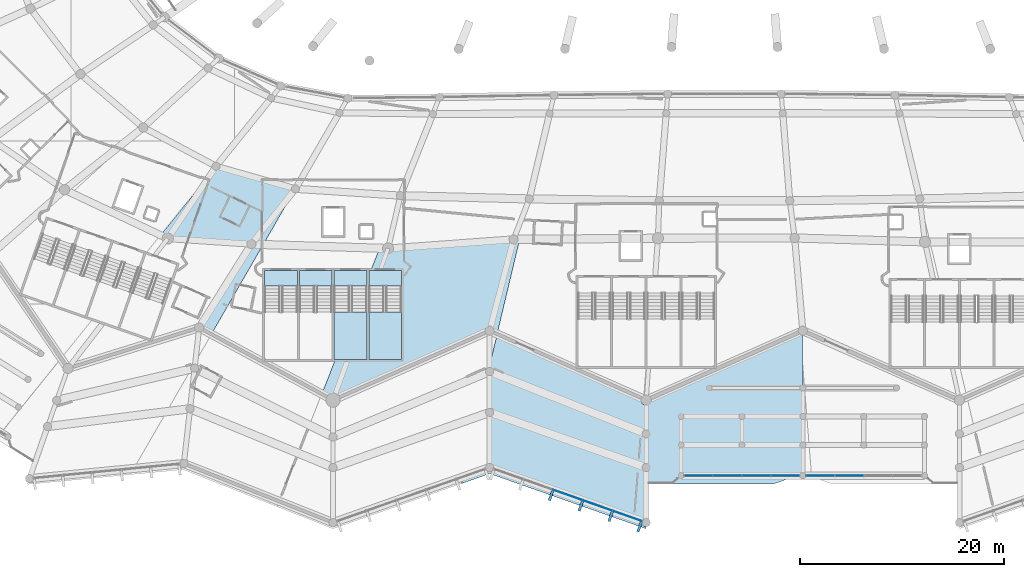
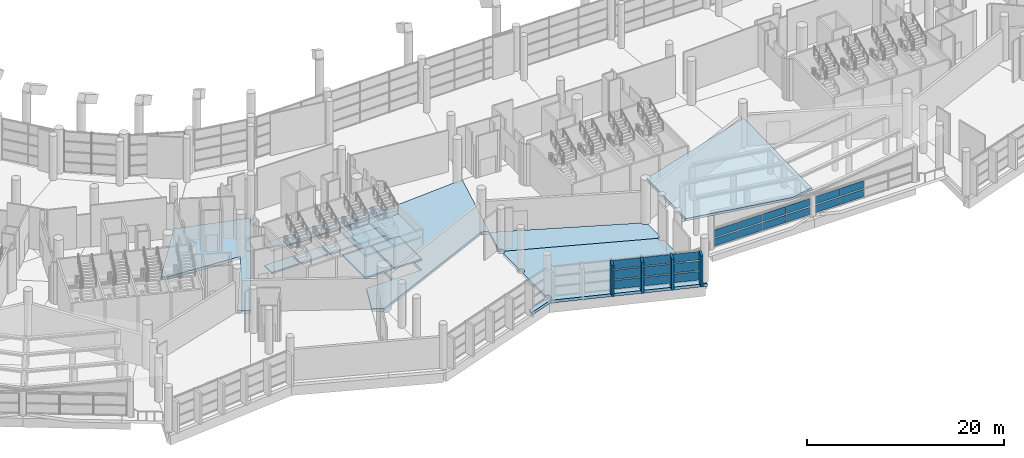
# One storey, part 118 of 271: 25 plates, 17 slabs, 7 elements without a shape of their own.
"""IFC4 building model written with IfcOpenShell, lengths in metres."""

from ifc_helpers import new_model, si_unit, direction, frame, origin, origin_2d, place, context, subcontext, project, spatial, polyline, rectangle, outline, extrude, material, layer, layer_set, type_object, element, aggregate, save


model = new_model("IFC4")

# Units and contexts
model_context = context("Model", 3, precision=1e-05, world=origin(), true_north=direction((0.0, 1.0)))
body_context = subcontext(model_context, "Body", "Model", "MODEL_VIEW")
ifc_project = project(units=[si_unit("LENGTHUNIT", "METRE"), si_unit("AREAUNIT", "SQUARE_METRE"), si_unit("VOLUMEUNIT", "CUBIC_METRE"), si_unit("PLANEANGLEUNIT", "RADIAN"), si_unit("MASSUNIT", "GRAM", prefix="KILO")], contexts=[model_context])

# Site, building, storey
site_placement = place(None, origin())
site = spatial("IfcSite", under=ifc_project, at=site_placement, CompositionType="ELEMENT")
building_placement = place(site_placement, origin())
building = spatial("IfcBuilding", under=site, at=building_placement, Name="Meseta Stadium", CompositionType="ELEMENT")
storey_placement = place(building_placement, frame((0.0, 0.0, 6.5)))
storey = spatial("IfcBuildingStorey", under=building, at=storey_placement, Name="L01", CompositionType="ELEMENT", Elevation=6.5)

# Slabs
ifc_material_1 = material(Name="Concrete C40/50", Category="concrete")
ifc_layer_1 = layer(ifc_material_1, 0.35009765625)
ifc_layer_set_1 = layer_set([ifc_layer_1], Name="Floor slab 350")
slab_type_1 = type_object("IfcSlabType", Name="Floor slab 350", PredefinedType="FLOOR", material=ifc_layer_set_1)
slab_1_placement = place(storey_placement, frame((0.0, 0.0, -0.35009765625)))
element("IfcSlab", 1, at=slab_1_placement, inside=storey, type_object=slab_type_1, Name="Floor slab L01 sector 42 panel 02", PredefinedType="FLOOR", context=body_context, shape_type="SweptSolid", body=[
    extrude(outline(polyline([(-55.224365234375, -89.246826171875), (-54.523193359375, -89.579345703125), (-46.333251953125, -90.126220703125), (-51.44140625, -98.29443359375), (-50.244384765625, -98.943359375), (-42.015380859375, -84.707275390625), (-49.781005859375, -82.502197265625), (-55.224365234375, -89.246826171875)])), origin(), (0.0, 0.0, 1.0), 0.35009765625),
])
slab_2_placement = place(storey_placement, frame((0.0, 0.0, -0.35009765625)))
element("IfcSlab", 2, at=slab_2_placement, inside=storey, type_object=slab_type_1, Name="Floor slab L01 sector 42 panel 07", PredefinedType="FLOOR", context=body_context, shape_type="SweptSolid", body=[
    extrude(outline(polyline([(-35.033203125, -93.683837890625), (-35.033203125, -101.39990234375), (-38.09521484375, -101.39990234375), (-39.443603515625, -104.798095703125), (-38.333251953125, -105.39990234375), (-23.0, -98.60009765625), (-22.267822265625, -98.9248046875), (-20.059814453125, -89.651611328125), (-20.649658203125, -89.65625), (-32.944091796875, -90.551025390625), (-33.779541015625, -90.524658203125), (-34.642822265625, -92.699951171875), (-31.63330078125, -92.699951171875), (-31.63330078125, -101.39990234375), (-34.833251953125, -101.39990234375), (-34.833251953125, -93.179931640625), (-35.033203125, -93.683837890625)])), origin(), (0.0, 0.0, 1.0), 0.35009765625),
])
slab_3_placement = place(storey_placement, frame((0.0, 0.0, -0.35009765625)))
element("IfcSlab", 3, at=slab_3_placement, inside=storey, type_object=slab_type_1, Name="Ring floor slab L01 6 panel 05", PredefinedType="FLOOR", context=body_context, shape_type="SweptSolid", body=[
    extrude(outline(polyline([(-22.714599609375, -112.285400390625), (-22.79833984375, -112.349365234375), (-22.8955078125, -112.3896484375), (-23.0, -112.403564453125), (-23.1044921875, -112.3896484375), (-23.20166015625, -112.349365234375), (-23.285400390625, -112.285400390625), (-23.349365234375, -112.20166015625), (-23.377685546875, -112.133056640625), (-25.598876953125, -112.915283203125), (-25.7548828125, -113.5703125), (-23.0, -112.60009765625), (-7.666748046875, -118.0), (-7.666748046875, -117.803466796875), (-7.77099609375, -117.789794921875), (-7.868408203125, -117.74951171875), (-7.951904296875, -117.685302734375), (-8.01611328125, -117.601806640625), (-8.056396484375, -117.50439453125), (-8.070068359375, -117.39990234375), (-8.056396484375, -117.295654296875), (-8.01611328125, -117.1982421875), (-7.951904296875, -117.11474609375), (-7.868408203125, -117.050537109375), (-7.77099609375, -117.01025390625), (-7.666748046875, -116.99658203125), (-7.666748046875, -112.403564453125), (-7.77099609375, -112.3896484375), (-7.868408203125, -112.349365234375), (-7.951904296875, -112.285400390625), (-8.01611328125, -112.20166015625), (-8.056396484375, -112.1044921875), (-8.070068359375, -112.0), (-8.056396484375, -111.8955078125), (-8.01611328125, -111.79833984375), (-7.951904296875, -111.714599609375), (-7.868408203125, -111.650634765625), (-7.77099609375, -111.6103515625), (-7.666748046875, -111.596435546875), (-7.666748046875, -109.103515625), (-7.77099609375, -109.089599609375), (-7.868408203125, -109.04931640625), (-7.951904296875, -108.9853515625), (-8.01611328125, -108.901611328125), (-8.056396484375, -108.804443359375), (-8.070068359375, -108.699951171875), (-8.056396484375, -108.595703125), (-8.038330078125, -108.552001953125), (-22.62841796875, -102.747802734375), (-22.650634765625, -102.8017578125), (-22.714599609375, -102.88525390625), (-22.79833984375, -102.949462890625), (-22.8955078125, -102.98974609375), (-23.0, -103.00341796875), (-23.0, -106.196533203125), (-22.8955078125, -106.210205078125), (-22.79833984375, -106.25048828125), (-22.714599609375, -106.314697265625), (-22.650634765625, -106.398193359375), (-22.6103515625, -106.49560546875), (-22.596435546875, -106.60009765625), (-22.6103515625, -106.704345703125), (-22.650634765625, -106.8017578125), (-22.714599609375, -106.88525390625), (-22.79833984375, -106.949462890625), (-22.8955078125, -106.98974609375), (-23.0, -107.00341796875), (-23.0, -111.596435546875), (-22.8955078125, -111.6103515625), (-22.79833984375, -111.650634765625), (-22.714599609375, -111.714599609375), (-22.650634765625, -111.79833984375), (-22.6103515625, -111.8955078125), (-22.596435546875, -112.0), (-22.6103515625, -112.1044921875), (-22.650634765625, -112.20166015625), (-22.714599609375, -112.285400390625)])), origin(), (0.0, 0.0, 1.0), 0.35009765625),
])
slab_4_placement = place(storey_placement, frame((0.0, 0.0, -0.35009765625)))
element("IfcSlab", 4, at=slab_4_placement, inside=storey, type_object=slab_type_1, Name="Ring floor slab L01 6 panel 06", PredefinedType="FLOOR", context=body_context, shape_type="SweptSolid", body=[
    extrude(outline(polyline([(-8.103515625, -105.652099609375), (-8.15380859375, -105.530517578125), (-8.1708984375, -105.39990234375), (-8.16357421875, -105.34375), (-22.302978515625, -99.072998046875), (-23.0, -102.0), (-23.0, -102.196533203125), (-22.8955078125, -102.210205078125), (-22.79833984375, -102.25048828125), (-22.714599609375, -102.314697265625), (-22.650634765625, -102.398193359375), (-22.6103515625, -102.49560546875), (-22.596435546875, -102.60009765625), (-22.6103515625, -102.704345703125), (-22.62841796875, -102.747802734375), (-8.038330078125, -108.552001953125), (-8.01611328125, -108.498291015625), (-7.951904296875, -108.414794921875), (-7.868408203125, -108.3505859375), (-7.77099609375, -108.310302734375), (-7.666748046875, -108.29638671875), (-7.666748046875, -105.904296875), (-7.797119140625, -105.88720703125), (-7.918701171875, -105.836669921875), (-7.96826171875, -105.798828125), (-8.023193359375, -105.756591796875), (-8.103515625, -105.652099609375)])), origin(), (0.0, 0.0, 1.0), 0.35009765625),
])
ifc_material_2 = material(Name="Concrete C40/50", Category="concrete")
ifc_layer_2 = layer(ifc_material_2, 0.300048828125)
ifc_layer_set_2 = layer_set([ifc_layer_2], Name="Gate roof plate 300")
slab_type_2 = type_object("IfcSlabType", Name="Gate roof plate 300", PredefinedType="ROOF", material=ifc_layer_set_2)
slab_5_placement = place(storey_placement, frame((7.666748046875, -112.60009765625, 3.2412109375), z_axis=(0.138624201217, -0.019803526469, 0.99014703513), x_axis=(-5.01351e-07, 0.999800046752, 0.019996662603)))
element("IfcSlab", 5, at=slab_5_placement, inside=storey, type_object=slab_type_2, Name="Gate 7 butterfly roof wing", PredefinedType="ROOF", context=body_context, shape_type="SweptSolid", body=[
    extrude(outline(polyline([(0.0, 0.0), (13.80598419644669, -6.938893903907228e-18), (7.047510880738475, 15.48298708606902), (-0.9572652772770489, 15.482978936526571), (-0.992246172665411, 2.867301837908844), (0.0, 0.0)])), origin(), (0.0, 0.0, -1.0), 0.300048828125),
])

# Curtain wall, plates
ifc_material_3 = material(Name="Aluminium", Category="aluminium")
ifc_layer_3 = layer(ifc_material_3, 0.199951171875)
ifc_layer_set_3 = layer_set([ifc_layer_3], Name="Ring shopfront curtain wall")
curtain_wall_type_1 = type_object("IfcCurtainWallType", Name="Ring shopfront curtain wall", PredefinedType="NOTDEFINED", material=ifc_layer_set_3)
curtain_wall_1_placement = place(storey_placement, origin())
curtain_wall_1 = element("IfcCurtainWall", 6, at=curtain_wall_1_placement, inside=storey, type_object=curtain_wall_type_1, Name="Ring glazing L01 F45", PredefinedType="NOTDEFINED")
ifc_material_4 = material(Name="Glass", Category="glass")
ifc_layer_4 = layer(ifc_material_4, 0.035888671875)
ifc_layer_set_4 = layer_set([ifc_layer_4], Name="Ring CW glass panel 36")
plate_type_1 = type_object("IfcPlateType", Name="Ring CW glass panel 36", PredefinedType="CURTAIN_PANEL", material=ifc_layer_set_4)
plate_1_placement = place(storey_placement, frame((-15.333251953125, -114.699951171875, 0.14990234375), z_axis=(0.0, 0.0, 1.0), x_axis=(0.943218009999, -0.332174330154, 0.0)))
plate_1 = element("IfcPlate", 7, at=plate_1_placement, type_object=plate_type_1, Name="CWR1 panel 3.1", PredefinedType="CURTAIN_PANEL", context=body_context, shape_type="SweptSolid", body=[
    extrude(rectangle(XDim=3.03125, YDim=0.035888671875, at=origin_2d()), origin(), (0.0, 0.0, 1.0), 1.058349609375),
])
plate_2_placement = place(storey_placement, frame((-15.333251953125, -114.699951171875, 1.3583984375), z_axis=(0.0, 0.0, 1.0), x_axis=(0.943218009999, -0.332174330154, 0.0)))
plate_2 = element("IfcPlate", 8, at=plate_2_placement, type_object=plate_type_1, Name="CWR1 panel 3.2", PredefinedType="CURTAIN_PANEL", context=body_context, shape_type="SweptSolid", body=[
    extrude(rectangle(XDim=3.03125, YDim=0.035888671875, at=origin_2d()), origin(), (0.0, 0.0, 1.0), 1.13330078125),
])
plate_3_placement = place(storey_placement, frame((-15.333251953125, -114.699951171875, 2.6416015625), z_axis=(0.0, 0.0, 1.0), x_axis=(0.943218009999, -0.332174330154, 0.0)))
plate_3 = element("IfcPlate", 9, at=plate_3_placement, type_object=plate_type_1, Name="CWR1 panel 3.3", PredefinedType="CURTAIN_PANEL", context=body_context, shape_type="SweptSolid", body=[
    extrude(rectangle(XDim=3.03125, YDim=0.035888671875, at=origin_2d()), origin(), (0.0, 0.0, 1.0), 1.058349609375),
])
plate_4_placement = place(storey_placement, frame((-12.417724609375, -115.726806640625, 0.14990234375), z_axis=(0.0, 0.0, 1.0), x_axis=(0.943218009999, -0.332174330154, 0.0)))
plate_4 = element("IfcPlate", 10, at=plate_4_placement, type_object=plate_type_1, Name="CWR1 panel 4.1", PredefinedType="CURTAIN_PANEL", context=body_context, shape_type="SweptSolid", body=[
    extrude(rectangle(XDim=3.03125, YDim=0.035888671875, at=origin_2d()), origin(), (0.0, 0.0, 1.0), 1.058349609375),
])
plate_5_placement = place(storey_placement, frame((-12.417724609375, -115.726806640625, 1.3583984375), z_axis=(0.0, 0.0, 1.0), x_axis=(0.943218009999, -0.332174330154, 0.0)))
plate_5 = element("IfcPlate", 11, at=plate_5_placement, type_object=plate_type_1, Name="CWR1 panel 4.2", PredefinedType="CURTAIN_PANEL", context=body_context, shape_type="SweptSolid", body=[
    extrude(rectangle(XDim=3.03125, YDim=0.035888671875, at=origin_2d()), origin(), (0.0, 0.0, 1.0), 1.13330078125),
])
plate_6_placement = place(storey_placement, frame((-12.417724609375, -115.726806640625, 2.6416015625), z_axis=(0.0, 0.0, 1.0), x_axis=(0.943218009999, -0.332174330154, 0.0)))
plate_6 = element("IfcPlate", 12, at=plate_6_placement, type_object=plate_type_1, Name="CWR1 panel 4.3", PredefinedType="CURTAIN_PANEL", context=body_context, shape_type="SweptSolid", body=[
    extrude(rectangle(XDim=3.03125, YDim=0.035888671875, at=origin_2d()), origin(), (0.0, 0.0, 1.0), 1.058349609375),
])
plate_7_placement = place(storey_placement, frame((-9.51611328125, -116.748779296875, 0.14990234375), z_axis=(0.0, 0.0, 1.0), x_axis=(0.943218009999, -0.332174330154, 0.0)))
plate_7 = element("IfcPlate", 13, at=plate_7_placement, type_object=plate_type_1, Name="CWR1 panel 5.1", PredefinedType="CURTAIN_PANEL", context=body_context, shape_type="SweptSolid", body=[
    extrude(rectangle(XDim=3.001220703125, YDim=0.035888671875, at=origin_2d()), origin(), (0.0, 0.0, 1.0), 1.058349609375),
])
plate_8_placement = place(storey_placement, frame((-9.51611328125, -116.748779296875, 1.3583984375), z_axis=(0.0, 0.0, 1.0), x_axis=(0.943218009999, -0.332174330154, 0.0)))
plate_8 = element("IfcPlate", 14, at=plate_8_placement, type_object=plate_type_1, Name="CWR1 panel 5.2", PredefinedType="CURTAIN_PANEL", context=body_context, shape_type="SweptSolid", body=[
    extrude(rectangle(XDim=3.001220703125, YDim=0.035888671875, at=origin_2d()), origin(), (0.0, 0.0, 1.0), 1.13330078125),
])
plate_9_placement = place(storey_placement, frame((-9.51611328125, -116.748779296875, 2.6416015625), z_axis=(0.0, 0.0, 1.0), x_axis=(0.943218009999, -0.332174330154, 0.0)))
plate_9 = element("IfcPlate", 15, at=plate_9_placement, type_object=plate_type_1, Name="CWR1 panel 5.3", PredefinedType="CURTAIN_PANEL", context=body_context, shape_type="SweptSolid", body=[
    extrude(rectangle(XDim=3.001220703125, YDim=0.035888671875, at=origin_2d()), origin(), (0.0, 0.0, 1.0), 1.058349609375),
])
aggregate(curtain_wall_1, [plate_1, plate_2, plate_3, plate_4, plate_5, plate_6, plate_7, plate_8, plate_9])

ifc_material_5 = material(Name="Aluminium", Category="aluminium")
ifc_layer_5 = layer(ifc_material_5, 0.199951171875)
ifc_layer_set_5 = layer_set([ifc_layer_5], Name="Gate hall curtain wall")
curtain_wall_type_2 = type_object("IfcCurtainWallType", Name="Gate hall curtain wall", PredefinedType="NOTDEFINED", material=ifc_layer_set_5)
curtain_wall_2_placement = place(storey_placement, origin())
curtain_wall_2 = element("IfcCurtainWall", 16, at=curtain_wall_2_placement, inside=storey, type_object=curtain_wall_type_2, Name="Gate 7 hall glazing", PredefinedType="NOTDEFINED")
plate_10_placement = place(storey_placement, frame((5.93505859375, -112.800048828125, 0.14990234375), z_axis=(0.0, 0.0, 1.0), x_axis=(-1.0, 0.0, 0.0)))
plate_10 = element("IfcPlate", 17, at=plate_10_placement, type_object=plate_type_1, Name="CWG1 panel 1.1", PredefinedType="CURTAIN_PANEL", context=body_context, shape_type="SweptSolid", body=[
    extrude(rectangle(XDim=2.743408203125, YDim=0.035888671875, at=origin_2d()), origin(), (0.0, 0.0, 1.0), 0.924560546875),
])
plate_11_placement = place(storey_placement, frame((5.93505859375, -112.800048828125, 1.224609375), z_axis=(0.0, 0.0, 1.0), x_axis=(-1.0, 0.0, 0.0)))
plate_11 = element("IfcPlate", 18, at=plate_11_placement, type_object=plate_type_1, Name="CWG1 panel 1.2", PredefinedType="CURTAIN_PANEL", context=body_context, shape_type="SweptSolid", body=[
    extrude(rectangle(XDim=2.743408203125, YDim=0.035888671875, at=origin_2d()), origin(), (0.0, 0.0, 1.0), 0.924560546875),
])
plate_12_placement = place(storey_placement, frame((3.11669921875, -112.800048828125, 0.14990234375), z_axis=(0.0, 0.0, 1.0), x_axis=(-1.0, 0.0, 0.0)))
plate_12 = element("IfcPlate", 19, at=plate_12_placement, type_object=plate_type_1, Name="CWG1 panel 2.1", PredefinedType="CURTAIN_PANEL", context=body_context, shape_type="SweptSolid", body=[
    extrude(rectangle(XDim=2.7734375, YDim=0.035888671875, at=origin_2d()), origin(), (0.0, 0.0, 1.0), 0.924560546875),
])
plate_13_placement = place(storey_placement, frame((3.11669921875, -112.800048828125, 1.224609375), z_axis=(0.0, 0.0, 1.0), x_axis=(-1.0, 0.0, 0.0)))
plate_13 = element("IfcPlate", 20, at=plate_13_placement, type_object=plate_type_1, Name="CWG1 panel 2.2", PredefinedType="CURTAIN_PANEL", context=body_context, shape_type="SweptSolid", body=[
    extrude(rectangle(XDim=2.7734375, YDim=0.035888671875, at=origin_2d()), origin(), (0.0, 0.0, 1.0), 0.924560546875),
])
plate_14_placement = place(storey_placement, frame((0.283203125, -112.800048828125, 0.14990234375), z_axis=(0.0, 0.0, 1.0), x_axis=(-1.0, 0.0, 0.0)))
plate_14 = element("IfcPlate", 21, at=plate_14_placement, type_object=plate_type_1, Name="CWG1 panel 3.1", PredefinedType="CURTAIN_PANEL", context=body_context, shape_type="SweptSolid", body=[
    extrude(rectangle(XDim=2.7734375, YDim=0.035888671875, at=origin_2d()), origin(), (0.0, 0.0, 1.0), 0.924560546875),
])
plate_15_placement = place(storey_placement, frame((0.283203125, -112.800048828125, 1.224609375), z_axis=(0.0, 0.0, 1.0), x_axis=(-1.0, 0.0, 0.0)))
plate_15 = element("IfcPlate", 22, at=plate_15_placement, type_object=plate_type_1, Name="CWG1 panel 3.2", PredefinedType="CURTAIN_PANEL", context=body_context, shape_type="SweptSolid", body=[
    extrude(rectangle(XDim=2.7734375, YDim=0.035888671875, at=origin_2d()), origin(), (0.0, 0.0, 1.0), 0.924560546875),
])
plate_16_placement = place(storey_placement, frame((-2.534912109375, -112.800048828125, 0.14990234375), z_axis=(0.0, 0.0, 1.0), x_axis=(-1.0, 0.0, 0.0)))
plate_16 = element("IfcPlate", 23, at=plate_16_placement, type_object=plate_type_1, Name="CWG1 panel 4.1", PredefinedType="CURTAIN_PANEL", context=body_context, shape_type="SweptSolid", body=[
    extrude(rectangle(XDim=2.743408203125, YDim=0.035888671875, at=origin_2d()), origin(), (0.0, 0.0, 1.0), 0.924560546875),
])
plate_17_placement = place(storey_placement, frame((-2.534912109375, -112.800048828125, 1.224609375), z_axis=(0.0, 0.0, 1.0), x_axis=(-1.0, 0.0, 0.0)))
plate_17 = element("IfcPlate", 24, at=plate_17_placement, type_object=plate_type_1, Name="CWG1 panel 4.2", PredefinedType="CURTAIN_PANEL", context=body_context, shape_type="SweptSolid", body=[
    extrude(rectangle(XDim=2.743408203125, YDim=0.035888671875, at=origin_2d()), origin(), (0.0, 0.0, 1.0), 0.924560546875),
])
aggregate(curtain_wall_2, [plate_10, plate_11, plate_12, plate_13, plate_14, plate_15, plate_16, plate_17])

curtain_wall_3_placement = place(storey_placement, origin())
curtain_wall_3 = element("IfcCurtainWall", 25, at=curtain_wall_3_placement, inside=storey, type_object=curtain_wall_type_2, Name="Gate 7 hall glazing", PredefinedType="NOTDEFINED")
plate_18_placement = place(storey_placement, frame((12.216796875, -112.800048828125, 0.14990234375), z_axis=(0.0, 0.0, 1.0), x_axis=(-1.0, 0.0, 0.0)))
plate_18 = element("IfcPlate", 26, at=plate_18_placement, type_object=plate_type_1, Name="CWG1 panel 3.1", PredefinedType="CURTAIN_PANEL", context=body_context, shape_type="SweptSolid", body=[
    extrude(rectangle(XDim=2.7734375, YDim=0.035888671875, at=origin_2d()), origin(), (0.0, 0.0, 1.0), 0.924560546875),
])
plate_19_placement = place(storey_placement, frame((12.216796875, -112.800048828125, 1.224609375), z_axis=(0.0, 0.0, 1.0), x_axis=(-1.0, 0.0, 0.0)))
plate_19 = element("IfcPlate", 27, at=plate_19_placement, type_object=plate_type_1, Name="CWG1 panel 3.2", PredefinedType="CURTAIN_PANEL", context=body_context, shape_type="SweptSolid", body=[
    extrude(rectangle(XDim=2.7734375, YDim=0.035888671875, at=origin_2d()), origin(), (0.0, 0.0, 1.0), 0.924560546875),
])
plate_20_placement = place(storey_placement, frame((9.3984375, -112.800048828125, 0.14990234375), z_axis=(0.0, 0.0, 1.0), x_axis=(-1.0, 0.0, 0.0)))
plate_20 = element("IfcPlate", 28, at=plate_20_placement, type_object=plate_type_1, Name="CWG1 panel 4.1", PredefinedType="CURTAIN_PANEL", context=body_context, shape_type="SweptSolid", body=[
    extrude(rectangle(XDim=2.743408203125, YDim=0.035888671875, at=origin_2d()), origin(), (0.0, 0.0, 1.0), 0.924560546875),
])
plate_21_placement = place(storey_placement, frame((9.3984375, -112.800048828125, 1.224609375), z_axis=(0.0, 0.0, 1.0), x_axis=(-1.0, 0.0, 0.0)))
plate_21 = element("IfcPlate", 29, at=plate_21_placement, type_object=plate_type_1, Name="CWG1 panel 4.2", PredefinedType="CURTAIN_PANEL", context=body_context, shape_type="SweptSolid", body=[
    extrude(rectangle(XDim=2.743408203125, YDim=0.035888671875, at=origin_2d()), origin(), (0.0, 0.0, 1.0), 0.924560546875),
])
aggregate(curtain_wall_3, [plate_18, plate_19, plate_20, plate_21])

# Plates
ifc_material_6 = material(Name="Precast concrete C40/50", Category="concrete")
ifc_layer_6 = layer(ifc_material_6, 0.25)
ifc_layer_set_6 = layer_set([ifc_layer_6], Name="Ring brise-soleil fin 250x1000")
plate_type_2 = type_object("IfcPlateType", Name="Ring brise-soleil fin 250x1000", PredefinedType="USERDEFINED", material=ifc_layer_set_6)
for number, where, z_axis, x_axis, name in (
    (30, (-16.990478515625, -114.75244140625, 0.0), (0.0, 0.0, 1.0), (0.943217440256, -0.33217594795, 0.0), "Brise-soleil fin L01 F45.3"),
    (31, (-14.07470703125, -115.779296875, 0.0), (0.0, 0.0, 1.0), (0.943217440256, -0.33217594795, 0.0), "Brise-soleil fin L01 F45.4"),
    (32, (-11.158935546875, -116.80615234375, 0.0), (0.0, 0.0, 1.0), (0.943217440256, -0.33217594795, 0.0), "Brise-soleil fin L01 F45.5"),
    (33, (-8.31396484375, -117.80810546875, 0.0), (0.0, 0.0, 1.0), (0.943217440256, -0.33217594795, 0.0), "Brise-soleil fin L01 F45.6"),
):
    element("IfcPlate", number, at=place(storey_placement, frame(where, z_axis=z_axis, x_axis=x_axis)), inside=storey, type_object=plate_type_2, Name=name, ObjectType="FIN", PredefinedType="USERDEFINED", context=body_context, shape_type="SweptSolid", body=[
        extrude(rectangle(XDim=0.25, YDim=1.0, at=origin_2d()), origin(), (0.0, 0.0, 1.0), 3.85009765625),
    ])

# Stair, slabs
ifc_material_7 = material(Name="Concrete C40/50", Category="concrete")
stair_type = type_object("IfcStairType", Name="Exit stair 4 flights 153 mm risers", PredefinedType="HALF_TURN_STAIR", material=ifc_material_7)
stair_1_placement = place(storey_placement, origin())
stair_1 = element("IfcStair", 34, at=stair_1_placement, inside=storey, type_object=stair_type, Name="ST89 L01", PredefinedType="HALF_TURN_STAIR")
ifc_material_8 = material(Name="Concrete C40/50", Category="concrete")
ifc_layer_7 = layer(ifc_material_8, 0.199951171875)
ifc_layer_set_7 = layer_set([ifc_layer_7], Name="Stair landing 200")
slab_type_3 = type_object("IfcSlabType", Name="Stair landing 200", PredefinedType="LANDING", material=ifc_layer_set_7)
slab_6_placement = place(storey_placement, frame((0.0, 0.0, 2.550048828125)))
slab_6 = element("IfcSlab", 35, at=slab_6_placement, type_object=slab_type_3, Name="ST89 L01 landing 2", PredefinedType="LANDING", context=body_context, shape_type="SweptSolid", body=[
    extrude(outline(polyline([(-45.033447265625, -92.699951171875), (-45.033447265625, -94.2099609375), (-41.833251953125, -94.2099609375), (-41.833251953125, -92.699951171875), (-45.033447265625, -92.699951171875)])), origin(), (0.0, 0.0, 1.0), 0.199951171875),
])
slab_7_placement = place(storey_placement, frame((0.0, 0.0, -0.199951171875)))
slab_7 = element("IfcSlab", 36, at=slab_7_placement, type_object=slab_type_3, Name="ST89 L01 landing 4", PredefinedType="LANDING", context=body_context, shape_type="SweptSolid", body=[
    extrude(outline(polyline([(-45.033447265625, -92.699951171875), (-45.033447265625, -94.2099609375), (-41.833251953125, -94.2099609375), (-41.833251953125, -92.699951171875), (-45.033447265625, -92.699951171875)])), origin(), (0.0, 0.0, 1.0), 0.199951171875),
])
aggregate(stair_1, [slab_6, slab_7])

stair_2_placement = place(storey_placement, origin())
stair_2 = element("IfcStair", 37, at=stair_2_placement, inside=storey, type_object=stair_type, Name="ST90 L01", PredefinedType="HALF_TURN_STAIR")
slab_8_placement = place(storey_placement, frame((0.0, 0.0, 2.550048828125)))
slab_8 = element("IfcSlab", 38, at=slab_8_placement, type_object=slab_type_3, Name="ST90 L01 landing 2", PredefinedType="LANDING", context=body_context, shape_type="SweptSolid", body=[
    extrude(outline(polyline([(-41.63330078125, -92.699951171875), (-41.63330078125, -94.2099609375), (-38.433349609375, -94.2099609375), (-38.433349609375, -92.699951171875), (-41.63330078125, -92.699951171875)])), origin(), (0.0, 0.0, 1.0), 0.199951171875),
])
slab_9_placement = place(storey_placement, frame((0.0, 0.0, -0.199951171875)))
slab_9 = element("IfcSlab", 39, at=slab_9_placement, type_object=slab_type_3, Name="ST90 L01 landing 4", PredefinedType="LANDING", context=body_context, shape_type="SweptSolid", body=[
    extrude(outline(polyline([(-41.63330078125, -92.699951171875), (-41.63330078125, -94.2099609375), (-38.433349609375, -94.2099609375), (-38.433349609375, -92.699951171875), (-41.63330078125, -92.699951171875)])), origin(), (0.0, 0.0, 1.0), 0.199951171875),
])
aggregate(stair_2, [slab_8, slab_9])

stair_3_placement = place(storey_placement, origin())
stair_3 = element("IfcStair", 40, at=stair_3_placement, inside=storey, type_object=stair_type, Name="ST91 L01", PredefinedType="HALF_TURN_STAIR")
slab_10_placement = place(storey_placement, frame((0.0, 0.0, 1.175048828125)))
slab_10 = element("IfcSlab", 41, at=slab_10_placement, type_object=slab_type_3, Name="ST91 L01 landing 1", PredefinedType="LANDING", context=body_context, shape_type="SweptSolid", body=[
    extrude(outline(polyline([(-38.2333984375, -96.75), (-38.2333984375, -101.39990234375), (-35.033447265625, -101.39990234375), (-35.033447265625, -96.75), (-38.2333984375, -96.75)])), origin(), (0.0, 0.0, 1.0), 0.199951171875),
])
slab_11_placement = place(storey_placement, frame((0.0, 0.0, 2.550048828125)))
slab_11 = element("IfcSlab", 42, at=slab_11_placement, type_object=slab_type_3, Name="ST91 L01 landing 2", PredefinedType="LANDING", context=body_context, shape_type="SweptSolid", body=[
    extrude(outline(polyline([(-38.2333984375, -92.699951171875), (-38.2333984375, -94.2099609375), (-35.033447265625, -94.2099609375), (-35.033447265625, -92.699951171875), (-38.2333984375, -92.699951171875)])), origin(), (0.0, 0.0, 1.0), 0.199951171875),
])
slab_12_placement = place(storey_placement, frame((0.0, 0.0, 3.925048828125)))
slab_12 = element("IfcSlab", 43, at=slab_12_placement, type_object=slab_type_3, Name="ST91 L01 landing 3", PredefinedType="LANDING", context=body_context, shape_type="SweptSolid", body=[
    extrude(outline(polyline([(-38.2333984375, -96.75), (-38.2333984375, -101.39990234375), (-35.033447265625, -101.39990234375), (-35.033447265625, -96.75), (-38.2333984375, -96.75)])), origin(), (0.0, 0.0, 1.0), 0.199951171875),
])
slab_13_placement = place(storey_placement, frame((0.0, 0.0, -0.199951171875)))
slab_13 = element("IfcSlab", 44, at=slab_13_placement, type_object=slab_type_3, Name="ST91 L01 landing 4", PredefinedType="LANDING", context=body_context, shape_type="SweptSolid", body=[
    extrude(outline(polyline([(-38.2333984375, -92.699951171875), (-38.2333984375, -94.2099609375), (-35.033447265625, -94.2099609375), (-35.033447265625, -92.699951171875), (-38.2333984375, -92.699951171875)])), origin(), (0.0, 0.0, 1.0), 0.199951171875),
])
aggregate(stair_3, [slab_10, slab_11, slab_12, slab_13])

stair_4_placement = place(storey_placement, origin())
stair_4 = element("IfcStair", 45, at=stair_4_placement, inside=storey, type_object=stair_type, Name="ST92 L01", PredefinedType="HALF_TURN_STAIR")
slab_14_placement = place(storey_placement, frame((0.0, 0.0, 1.175048828125)))
slab_14 = element("IfcSlab", 46, at=slab_14_placement, type_object=slab_type_3, Name="ST92 L01 landing 1", PredefinedType="LANDING", context=body_context, shape_type="SweptSolid", body=[
    extrude(outline(polyline([(-34.833251953125, -96.75), (-34.833251953125, -101.39990234375), (-31.63330078125, -101.39990234375), (-31.63330078125, -96.75), (-34.833251953125, -96.75)])), origin(), (0.0, 0.0, 1.0), 0.199951171875),
])
slab_15_placement = place(storey_placement, frame((0.0, 0.0, 2.550048828125)))
slab_15 = element("IfcSlab", 47, at=slab_15_placement, type_object=slab_type_3, Name="ST92 L01 landing 2", PredefinedType="LANDING", context=body_context, shape_type="SweptSolid", body=[
    extrude(outline(polyline([(-34.833251953125, -92.699951171875), (-34.833251953125, -94.2099609375), (-31.63330078125, -94.2099609375), (-31.63330078125, -92.699951171875), (-34.833251953125, -92.699951171875)])), origin(), (0.0, 0.0, 1.0), 0.199951171875),
])
slab_16_placement = place(storey_placement, frame((0.0, 0.0, 3.925048828125)))
slab_16 = element("IfcSlab", 48, at=slab_16_placement, type_object=slab_type_3, Name="ST92 L01 landing 3", PredefinedType="LANDING", context=body_context, shape_type="SweptSolid", body=[
    extrude(outline(polyline([(-34.833251953125, -96.75), (-34.833251953125, -101.39990234375), (-31.63330078125, -101.39990234375), (-31.63330078125, -96.75), (-34.833251953125, -96.75)])), origin(), (0.0, 0.0, 1.0), 0.199951171875),
])
slab_17_placement = place(storey_placement, frame((0.0, 0.0, -0.199951171875)))
slab_17 = element("IfcSlab", 49, at=slab_17_placement, type_object=slab_type_3, Name="ST92 L01 landing 4", PredefinedType="LANDING", context=body_context, shape_type="SweptSolid", body=[
    extrude(outline(polyline([(-34.833251953125, -92.699951171875), (-34.833251953125, -94.2099609375), (-31.63330078125, -94.2099609375), (-31.63330078125, -92.699951171875), (-34.833251953125, -92.699951171875)])), origin(), (0.0, 0.0, 1.0), 0.199951171875),
])
aggregate(stair_4, [slab_14, slab_15, slab_16, slab_17])

save(model, "model.ifc")
